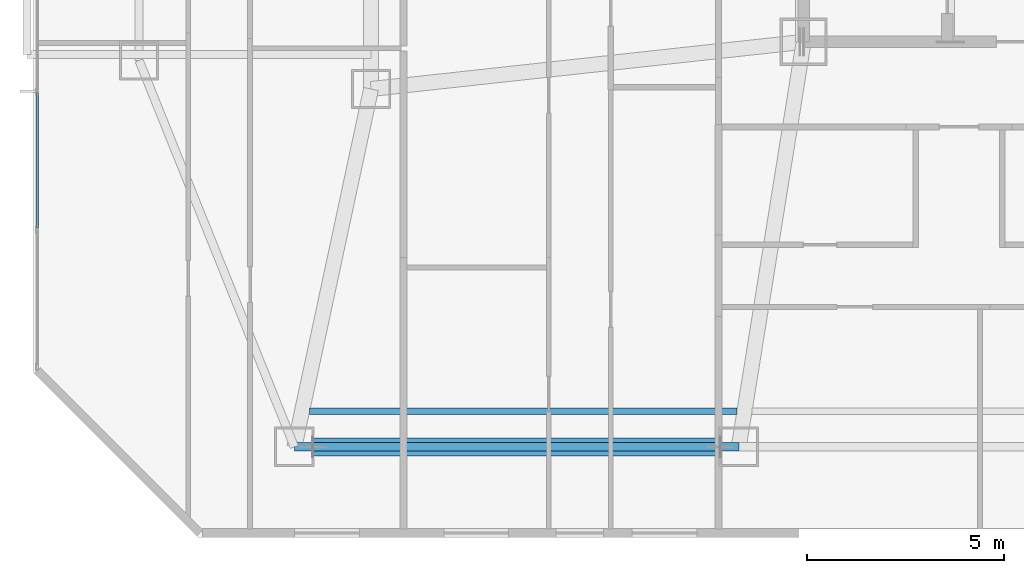
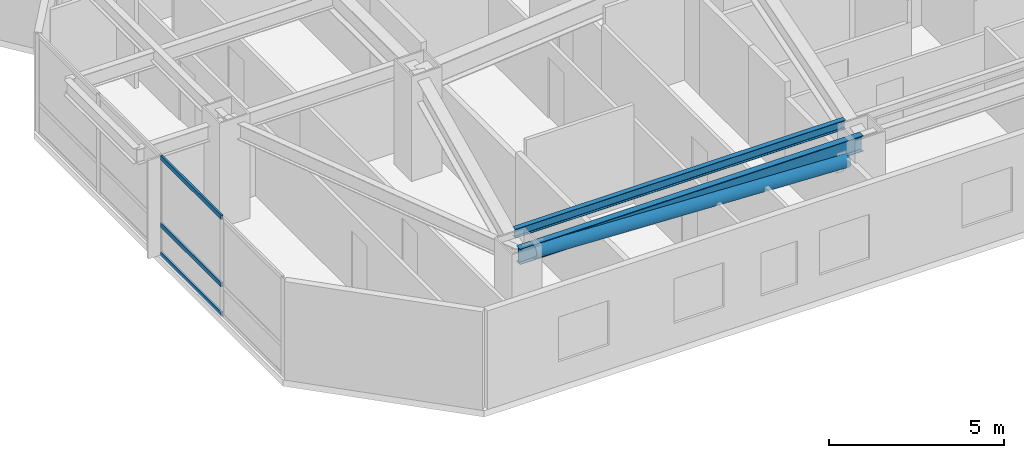
# One storey, part 3 of 18: 4 members, 2 beams, 1 element without a shape of its own.
"""IFC4 building model written with IfcOpenShell, lengths in metres."""

from ifc_helpers import new_model, si_unit, direction, frame, origin, origin_2d, place, context, subcontext, project, spatial, hollow_rectangle, hollow_circle, i_section, extrude, material, material_profile, profile_set, type_object, element, aggregate, save


model = new_model("IFC4")

# Units and contexts
model_context = context("Model", 3, precision=1e-05, world=origin(), true_north=direction((0.0, 1.0)))
body_context = subcontext(model_context, "Body", "Model", "MODEL_VIEW")
ifc_project = project(units=[si_unit("LENGTHUNIT", "METRE"), si_unit("AREAUNIT", "SQUARE_METRE"), si_unit("VOLUMEUNIT", "CUBIC_METRE"), si_unit("PLANEANGLEUNIT", "RADIAN"), si_unit("MASSUNIT", "GRAM", prefix="KILO")], contexts=[model_context])

# Site, building, storey
site_placement = place(None, origin())
site = spatial("IfcSite", under=ifc_project, at=site_placement, CompositionType="ELEMENT")
building_placement = place(site_placement, origin())
building = spatial("IfcBuilding", under=site, at=building_placement, Name="Khamvora Tower", CompositionType="ELEMENT")
storey_placement = place(building_placement, frame((0.0, 0.0, 109.199951171875)))
storey = spatial("IfcBuildingStorey", under=building, at=storey_placement, Name="L27", CompositionType="ELEMENT", Elevation=109.199951171875)

# Beams
ifc_material_1 = material(Name="Steel S355", Category="steel")
ifc_material_profile_1 = material_profile(ifc_material_1, i_section(OverallWidth=0.166015625, OverallDepth=0.31298828125, WebThickness=0.007080078125, FlangeThickness=0.010986328125, FilletRadius=0.010009765625, at=origin_2d()), Name="W310x45")
ifc_profile_set_1 = profile_set([ifc_material_profile_1], Name="Steel S355")
beam_type_1 = type_object("IfcBeamType", Name="BM-JS-W310x45", PredefinedType="JOIST", material=ifc_profile_set_1)
beam_1_placement = place(storey_placement, frame((16.43310546875, 9.60009765625, 3.274169921875), z_axis=(1.0, 0.0, 0.0), x_axis=(0.0, 1.0, 0.0)))
element("IfcBeam", 1, at=beam_1_placement, inside=storey, type_object=beam_type_1, Name="L27 secondary floor joist 01", PredefinedType="JOIST", context=body_context, shape_type="SweptSolid", body=[
    extrude(i_section(OverallWidth=0.166015625, OverallDepth=0.31298828125, WebThickness=0.007080078125, FlangeThickness=0.010986328125, FilletRadius=0.010009765625, at=origin_2d()), origin(), (0.0, 0.0, 1.0), 10.872802734375),
])
ifc_material_profile_2 = material_profile(ifc_material_1, i_section(OverallWidth=0.2119140625, OverallDepth=0.5439453125, WebThickness=0.012939453125, FlangeThickness=0.02099609375, FilletRadius=0.013916015625, at=origin_2d()), Name="W530x123")
ifc_profile_set_2 = profile_set([ifc_material_profile_2], Name="Steel S355")
beam_type_2 = type_object("IfcBeamType", Name="BM-SP-W530x123", PredefinedType="SPANDREL", material=ifc_profile_set_2)
beam_2_placement = place(storey_placement, frame((16.050048828125, 8.699951171875, 3.157958984375), z_axis=(1.0, 0.0, 0.0), x_axis=(0.0, 1.0, 0.0)))
element("IfcBeam", 2, at=beam_2_placement, inside=storey, type_object=beam_type_2, Name="L27 perimeter spandrel beam S1-S2", PredefinedType="SPANDREL", context=body_context, shape_type="SweptSolid", body=[
    extrude(i_section(OverallWidth=0.2119140625, OverallDepth=0.5439453125, WebThickness=0.012939453125, FlangeThickness=0.02099609375, FilletRadius=0.013916015625, at=origin_2d()), origin(), (0.0, 0.0, 1.0), 11.300048828125),
])

# Curtain wall, members
ifc_material_2 = material(Name="Anodised Aluminium 6063-T6", Category="aluminium")
curtain_wall_type = type_object("IfcCurtainWallType", Name="CW-SYS-03", PredefinedType="NOTDEFINED", material=ifc_material_2)
curtain_wall_placement = place(storey_placement, origin())
curtain_wall = element("IfcCurtainWall", 3, at=curtain_wall_placement, inside=storey, type_object=curtain_wall_type, Name="L27 stick curtain wall 02.1", PredefinedType="NOTDEFINED")
ifc_material_profile_3 = material_profile(ifc_material_2, hollow_rectangle(XDim=0.06494140625, YDim=0.155029296875, WallThickness=0.0048828125, at=origin_2d()), Name="TRN65x155x5")
ifc_profile_set_3 = profile_set([ifc_material_profile_3], Name="Anodised Aluminium 6063-T6")
member_type_1 = type_object("IfcMemberType", Name="CW-SYS-03-TRN", PredefinedType="USERDEFINED", material=ifc_profile_set_3)
member_1_placement = place(storey_placement, frame((9.510009765625, 14.260986328125, 0.032470703125), z_axis=(0.0, 1.0, 0.0), x_axis=(-1.0, 0.0, 0.0)))
member_1 = element("IfcMember", 4, at=member_1_placement, type_object=member_type_1, Name="CW-03 transom 2.1", ObjectType="TRANSOM", PredefinedType="USERDEFINED", context=body_context, shape_type="SweptSolid", body=[
    extrude(hollow_rectangle(XDim=0.06494140625, YDim=0.155029296875, WallThickness=0.0048828125, at=origin_2d()), origin(), (0.0, 0.0, 1.0), 3.446533203125),
])
member_2_placement = place(storey_placement, frame((9.510009765625, 14.260986328125, 1.050048828125), z_axis=(0.0, 1.0, 0.0), x_axis=(-1.0, 0.0, 0.0)))
member_2 = element("IfcMember", 5, at=member_2_placement, type_object=member_type_1, Name="CW-03 transom 2.2", ObjectType="TRANSOM", PredefinedType="USERDEFINED", context=body_context, shape_type="SweptSolid", body=[
    extrude(hollow_rectangle(XDim=0.06494140625, YDim=0.155029296875, WallThickness=0.0048828125, at=origin_2d()), origin(), (0.0, 0.0, 1.0), 3.446533203125),
])
member_3_placement = place(storey_placement, frame((9.510009765625, 14.260986328125, 3.3974609375), z_axis=(0.0, 1.0, 0.0), x_axis=(-1.0, 0.0, 0.0)))
member_3 = element("IfcMember", 6, at=member_3_placement, type_object=member_type_1, Name="CW-03 transom 2.3", ObjectType="TRANSOM", PredefinedType="USERDEFINED", context=body_context, shape_type="SweptSolid", body=[
    extrude(hollow_rectangle(XDim=0.06494140625, YDim=0.155029296875, WallThickness=0.0048828125, at=origin_2d()), origin(), (0.0, 0.0, 1.0), 3.446533203125),
])
aggregate(curtain_wall, [member_1, member_2, member_3])

# Member
ifc_material_profile_4 = material_profile(ifc_material_1, hollow_circle(Radius=0.228515625, WallThickness=0.02001953125, at=origin_2d()), Name="CHS457x20")
ifc_profile_set_4 = profile_set([ifc_material_profile_4], Name="Steel S355")
member_type_2 = type_object("IfcMemberType", Name="MEM-BR-CHS457", PredefinedType="BRACE", material=ifc_profile_set_4)
member_4_placement = place(storey_placement, frame((26.8701171875, 8.699951171875, 2.699951171875), z_axis=(-0.99909108027, 0.0, 0.042626439262), x_axis=(0.0, -1.0, 0.0)))
element("IfcMember", 7, at=member_4_placement, inside=storey, type_object=member_type_2, Name="L27 perimeter wind brace 1", PredefinedType="BRACE", context=body_context, shape_type="SweptSolid", body=[
    extrude(hollow_circle(Radius=0.228515625, WallThickness=0.02001953125, at=origin_2d()), origin(), (0.0, 0.0, 1.0), 10.349609375),
])

save(model, "model.ifc")
